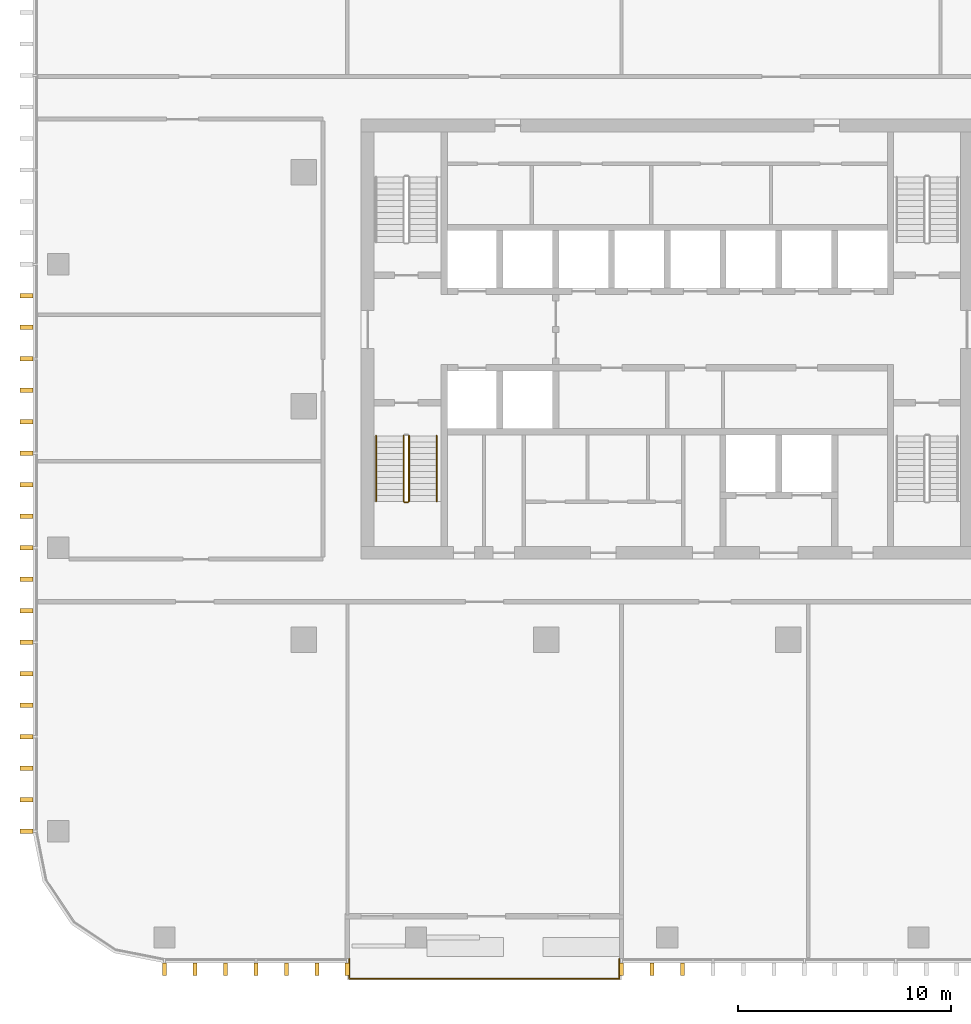
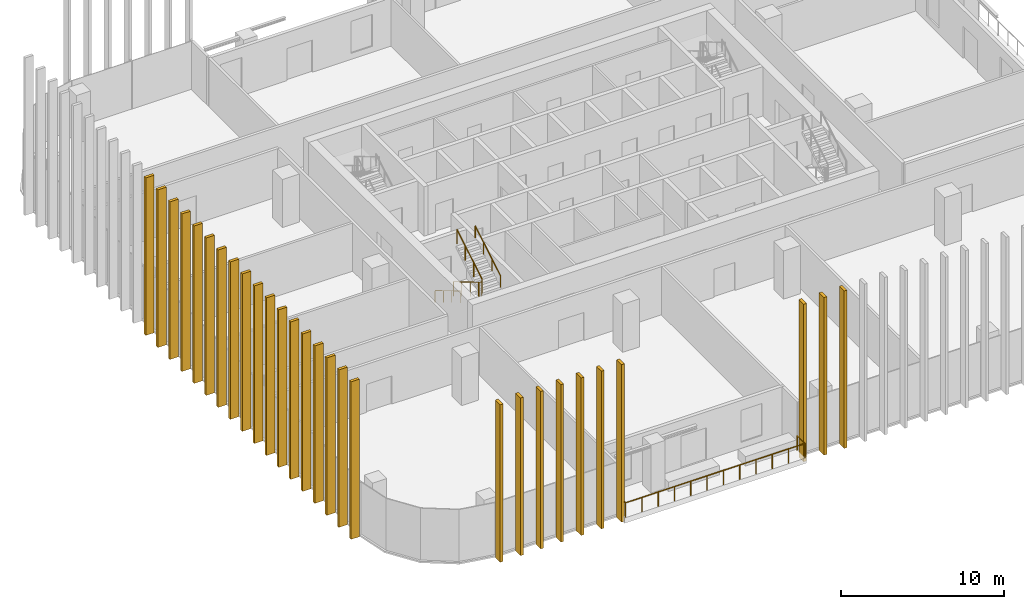
# One storey, part 11 of 16: 28 shading devices, 5 railings.
"""IFC4 building model written with IfcOpenShell, lengths in metres."""

from ifc_helpers import new_model, si_unit, direction, frame, origin, origin_2d, place, context, subcontext, project, spatial, rectangle, circle, extrude, material, type_object, element, save


model = new_model("IFC4")

# Units and contexts
model_context = context("Model", 3, precision=1e-05, world=origin(), true_north=direction((0.0, 1.0)))
body_context = subcontext(model_context, "Body", "Model", "MODEL_VIEW")
ifc_project = project(units=[si_unit("LENGTHUNIT", "METRE"), si_unit("AREAUNIT", "SQUARE_METRE"), si_unit("VOLUMEUNIT", "CUBIC_METRE"), si_unit("PLANEANGLEUNIT", "RADIAN"), si_unit("MASSUNIT", "GRAM", prefix="KILO")], contexts=[model_context])

# Site, building, storey
site_placement = place(None, origin())
site = spatial("IfcSite", under=ifc_project, at=site_placement, CompositionType="ELEMENT")
building_placement = place(site_placement, origin())
building = spatial("IfcBuilding", under=site, at=building_placement, Name="Mopane Tessera Tower", CompositionType="ELEMENT")
storey_placement = place(building_placement, frame((0.0, 0.0, 303.39990234375)))
storey = spatial("IfcBuildingStorey", under=building, at=storey_placement, Name="L66", CompositionType="ELEMENT", Elevation=303.39990234375)

# Shading devices
ifc_material_1 = material(Name="Glazed ceramic tile")
shading_device_type = type_object("IfcShadingDeviceType", Name="Ceramic tile fin 600 x 200 mm", PredefinedType="USERDEFINED", material=ifc_material_1)
for number, where, z_axis, x_axis, name in (
    (1, (-23.64990234375, -26.5, -0.39990234375), (0.0, 0.0, 1.0), (1.0, 0.0, 0.0), "e:fin:L66:S:0:0"),
    (2, (-22.216552734375, -26.5, -0.39990234375), (0.0, 0.0, 1.0), (1.0, 0.0, 0.0), "e:fin:L66:S:0:1"),
    (3, (-20.783447265625, -26.5, -0.39990234375), (0.0, 0.0, 1.0), (1.0, 0.0, 0.0), "e:fin:L66:S:0:2"),
    (4, (-19.35009765625, -26.5, -0.39990234375), (0.0, 0.0, 1.0), (1.0, 0.0, 0.0), "e:fin:L66:S:1:0"),
    (5, (-17.916748046875, -26.5, -0.39990234375), (0.0, 0.0, 1.0), (1.0, 0.0, 0.0), "e:fin:L66:S:1:1"),
    (6, (-16.4833984375, -26.5, -0.39990234375), (0.0, 0.0, 1.0), (1.0, 0.0, 0.0), "e:fin:L66:S:1:2"),
    (7, (-15.050048828125, -26.5, -0.39990234375), (0.0, 0.0, 1.0), (1.0, 0.0, 0.0), "e:fin:L66:S:1:3"),
    (8, (-2.14990234375, -26.5, -0.39990234375), (0.0, 0.0, 1.0), (1.0, 0.0, 0.0), "e:fin:L66:S:5:0"),
    (9, (-0.716552734375, -26.5, -0.39990234375), (0.0, 0.0, 1.0), (1.0, 0.0, 0.0), "e:fin:L66:S:5:1"),
    (10, (0.716552734375, -26.5, -0.39990234375), (0.0, 0.0, 1.0), (1.0, 0.0, 0.0), "e:fin:L66:S:5:2"),
    (11, (-30.14990234375, 5.185302734375, -0.39990234375), (0.0, 0.0, 1.0), (0.0, -1.0, 0.0), "e:fin:L66:W:3:1"),
    (12, (-30.14990234375, 3.70361328125, -0.39990234375), (0.0, 0.0, 1.0), (0.0, -1.0, 0.0), "e:fin:L66:W:3:2"),
    (13, (-30.14990234375, 2.22216796875, -0.39990234375), (0.0, 0.0, 1.0), (0.0, -1.0, 0.0), "e:fin:L66:W:4:0"),
    (14, (-30.14990234375, 0.74072265625, -0.39990234375), (0.0, 0.0, 1.0), (0.0, -1.0, 0.0), "e:fin:L66:W:4:1"),
    (15, (-30.14990234375, -0.74072265625, -0.39990234375), (0.0, 0.0, 1.0), (0.0, -1.0, 0.0), "e:fin:L66:W:4:2"),
    (16, (-30.14990234375, -2.22216796875, -0.39990234375), (0.0, 0.0, 1.0), (0.0, -1.0, 0.0), "e:fin:L66:W:5:0"),
    (17, (-30.14990234375, -3.70361328125, -0.39990234375), (0.0, 0.0, 1.0), (0.0, -1.0, 0.0), "e:fin:L66:W:5:1"),
    (18, (-30.14990234375, -5.185302734375, -0.39990234375), (0.0, 0.0, 1.0), (0.0, -1.0, 0.0), "e:fin:L66:W:5:2"),
    (19, (-30.14990234375, -6.666748046875, -0.39990234375), (0.0, 0.0, 1.0), (0.0, -1.0, 0.0), "e:fin:L66:W:6:0"),
    (20, (-30.14990234375, -8.148193359375, -0.39990234375), (0.0, 0.0, 1.0), (0.0, -1.0, 0.0), "e:fin:L66:W:6:1"),
    (21, (-30.14990234375, -9.629638671875, -0.39990234375), (0.0, 0.0, 1.0), (0.0, -1.0, 0.0), "e:fin:L66:W:6:2"),
    (22, (-30.14990234375, -11.111083984375, -0.39990234375), (0.0, 0.0, 1.0), (0.0, -1.0, 0.0), "e:fin:L66:W:7:0"),
    (23, (-30.14990234375, -12.592529296875, -0.39990234375), (0.0, 0.0, 1.0), (0.0, -1.0, 0.0), "e:fin:L66:W:7:1"),
    (24, (-30.14990234375, -14.073974609375, -0.39990234375), (0.0, 0.0, 1.0), (0.0, -1.0, 0.0), "e:fin:L66:W:7:2"),
    (25, (-30.14990234375, -15.5556640625, -0.39990234375), (0.0, 0.0, 1.0), (0.0, -1.0, 0.0), "e:fin:L66:W:8:0"),
    (26, (-30.14990234375, -17.037109375, -0.39990234375), (0.0, 0.0, 1.0), (0.0, -1.0, 0.0), "e:fin:L66:W:8:1"),
    (27, (-30.14990234375, -18.5185546875, -0.39990234375), (0.0, 0.0, 1.0), (0.0, -1.0, 0.0), "e:fin:L66:W:8:2"),
    (28, (-30.14990234375, -20.0, -0.39990234375), (0.0, 0.0, 1.0), (0.0, -1.0, 0.0), "e:fin:L66:W:8:3"),
):
    element("IfcShadingDevice", number, at=place(storey_placement, frame(where, z_axis=z_axis, x_axis=x_axis)), inside=storey, type_object=shading_device_type, Name=name, ObjectType="FIN", PredefinedType="USERDEFINED", context=body_context, shape_type="SweptSolid", body=[
        extrude(rectangle(XDim=0.199951171875, YDim=0.60009765625, at=origin_2d()), origin(), (0.0, 0.0, 1.0), 11.800048828125),
    ])

# Railings
ifc_material_2 = material(Name="Powder-coated steel balustrade", Category="steel")
railing_type_1 = type_object("IfcRailingType", Name="Escape stair guard 1100 mm", PredefinedType="GUARDRAIL", material=ifc_material_2)
railing_1_placement = place(storey_placement, frame((-12.39990234375, -1.39990234375, 0.166748046875)))
element("IfcRailing", 29, at=railing_1_placement, inside=storey, type_object=railing_type_1, Name="L66 ST1 stair guard 1", PredefinedType="GUARDRAIL", context=body_context, shape_type="SweptSolid", body=[
    extrude(circle(Radius=0.02392578125, at=origin_2d()), frame((0.0, 0.0, 1.076171875), z_axis=(0.0, -0.859308565015, 0.511457515432), x_axis=(1.0, 0.0, 0.0)), (0.0, 0.0, 1.0), 3.58447265625),
    extrude(circle(Radius=0.02392578125, at=origin_2d()), frame((0.0, -3.080078125, 2.9091796875), z_axis=(0.705375805398, -0.708833529934, 0.0), x_axis=(0.708833529934, 0.705375805398, 0.0)), (0.0, 0.0, 1.0), 0.070556640625),
    extrude(circle(Radius=0.02392578125, at=origin_2d()), frame((0.0498046875, -3.130126953125, 2.9091796875), z_axis=(1.0, 0.0, 0.0), x_axis=(0.0, 1.0, 0.0)), (0.0, 0.0, 1.0), 0.150146484375),
    extrude(circle(Radius=0.02099609375, at=origin_2d()), origin(), (0.0, 0.0, 1.0), 1.052001953125),
    extrude(circle(Radius=0.02099609375, at=origin_2d()), frame((0.0, -1.026611328125, 0.611083984375)), (0.0, 0.0, 1.0), 1.052001953125),
    extrude(circle(Radius=0.02099609375, at=origin_2d()), frame((0.0, -2.053466796875, 1.22216796875)), (0.0, 0.0, 1.0), 1.052001953125),
    extrude(circle(Radius=0.02099609375, at=origin_2d()), frame((0.0, -3.080078125, 1.833251953125)), (0.0, 0.0, 1.0), 1.052001953125),
    extrude(circle(Radius=0.02099609375, at=origin_2d()), frame((0.0498046875, -3.130126953125, 1.833251953125)), (0.0, 0.0, 1.0), 1.052001953125),
    extrude(circle(Radius=0.02099609375, at=origin_2d()), frame((0.199951171875, -3.130126953125, 1.833251953125)), (0.0, 0.0, 1.0), 1.052001953125),
])
railing_2_placement = place(storey_placement, frame((-12.14990234375, -4.47998046875, 2.166748046875)))
element("IfcRailing", 30, at=railing_2_placement, inside=storey, type_object=railing_type_1, Name="L66 ST1 stair guard 2", PredefinedType="GUARDRAIL", context=body_context, shape_type="SweptSolid", body=[
    extrude(circle(Radius=0.02392578125, at=origin_2d()), frame((0.0, 0.0, 1.076171875), z_axis=(0.0, 0.859308565015, 0.511457515432), x_axis=(-1.0, 0.0, 0.0)), (0.0, 0.0, 1.0), 3.58447265625),
    extrude(circle(Radius=0.02099609375, at=origin_2d()), origin(), (0.0, 0.0, 1.0), 1.052001953125),
    extrude(circle(Radius=0.02099609375, at=origin_2d()), frame((0.0, 1.026611328125, 0.611083984375)), (0.0, 0.0, 1.0), 1.052001953125),
    extrude(circle(Radius=0.02099609375, at=origin_2d()), frame((0.0, 2.053466796875, 1.22216796875)), (0.0, 0.0, 1.0), 1.052001953125),
    extrude(circle(Radius=0.02099609375, at=origin_2d()), frame((0.0, 3.080078125, 1.833251953125)), (0.0, 0.0, 1.0), 1.052001953125),
])
ifc_material_3 = material(Name="Powder-coated steel balustrade", Category="steel")
railing_type_2 = type_object("IfcRailingType", Name="Escape stair handrail 900 mm", PredefinedType="HANDRAIL", material=ifc_material_3)
railing_3_placement = place(storey_placement, frame((-13.699951171875, -1.39990234375, 0.166748046875)))
element("IfcRailing", 31, at=railing_3_placement, inside=storey, type_object=railing_type_2, Name="L66 ST1 stair handrail 1", PredefinedType="HANDRAIL", context=body_context, shape_type="SweptSolid", body=[
    extrude(circle(Radius=0.02392578125, at=origin_2d()), frame((0.0, 0.0, 0.8759765625), z_axis=(0.0, -0.859308565015, 0.511457515432), x_axis=(1.0, 0.0, 0.0)), (0.0, 0.0, 1.0), 3.58447265625),
    extrude(circle(Radius=0.02099609375, at=origin_2d()), origin(), (0.0, 0.0, 1.0), 0.851806640625),
    extrude(circle(Radius=0.02099609375, at=origin_2d()), frame((0.0, -1.026611328125, 0.611083984375)), (0.0, 0.0, 1.0), 0.851806640625),
    extrude(circle(Radius=0.02099609375, at=origin_2d()), frame((0.0, -2.053466796875, 1.22216796875)), (0.0, 0.0, 1.0), 0.851806640625),
    extrude(circle(Radius=0.02099609375, at=origin_2d()), frame((0.0, -3.080078125, 1.833251953125)), (0.0, 0.0, 1.0), 0.851806640625),
])
railing_4_placement = place(storey_placement, frame((-10.85009765625, -4.47998046875, 2.166748046875)))
element("IfcRailing", 32, at=railing_4_placement, inside=storey, type_object=railing_type_2, Name="L66 ST1 stair handrail 2", PredefinedType="HANDRAIL", context=body_context, shape_type="SweptSolid", body=[
    extrude(circle(Radius=0.02392578125, at=origin_2d()), frame((0.0, 0.0, 0.8759765625), z_axis=(0.0, 0.859308565015, 0.511457515432), x_axis=(-1.0, 0.0, 0.0)), (0.0, 0.0, 1.0), 3.58447265625),
    extrude(circle(Radius=0.02099609375, at=origin_2d()), origin(), (0.0, 0.0, 1.0), 0.851806640625),
    extrude(circle(Radius=0.02099609375, at=origin_2d()), frame((0.0, 1.026611328125, 0.611083984375)), (0.0, 0.0, 1.0), 0.851806640625),
    extrude(circle(Radius=0.02099609375, at=origin_2d()), frame((0.0, 2.053466796875, 1.22216796875)), (0.0, 0.0, 1.0), 0.851806640625),
    extrude(circle(Radius=0.02099609375, at=origin_2d()), frame((0.0, 3.080078125, 1.833251953125)), (0.0, 0.0, 1.0), 0.851806640625),
])
ifc_material_4 = material(Name="Stainless steel S316", Category="steel")
railing_type_3 = type_object("IfcRailingType", Name="Terrace guard 1100", PredefinedType="GUARDRAIL", material=ifc_material_4)
railing_5_placement = place(storey_placement, frame((-14.949951171875, -26.0, 0.0)))
element("IfcRailing", 33, at=railing_5_placement, inside=storey, type_object=railing_type_3, Name="e:nw:L66:N3:guard", PredefinedType="GUARDRAIL", context=body_context, shape_type="SweptSolid", body=[
    extrude(circle(Radius=0.02392578125, at=origin_2d()), frame((0.0, 0.0, 1.076171875), z_axis=(0.0, -1.0, 0.0), x_axis=(1.0, 0.0, 0.0)), (0.0, 0.0, 1.0), 0.949951171875),
    extrude(circle(Radius=0.02392578125, at=origin_2d()), frame((0.0, -0.949951171875, 1.076171875), z_axis=(1.0, 0.0, 0.0), x_axis=(0.0, 1.0, 0.0)), (0.0, 0.0, 1.0), 12.699951171875),
    extrude(circle(Radius=0.02392578125, at=origin_2d()), frame((12.699951171875, -0.949951171875, 1.076171875), z_axis=(0.0, 1.0, 0.0), x_axis=(-1.0, 0.0, 0.0)), (0.0, 0.0, 1.0), 0.949951171875),
    extrude(circle(Radius=0.02099609375, at=origin_2d()), origin(), (0.0, 0.0, 1.0), 1.052001953125),
    extrude(circle(Radius=0.02099609375, at=origin_2d()), frame((0.0, -0.949951171875, 0.0)), (0.0, 0.0, 1.0), 1.052001953125),
    extrude(circle(Radius=0.02099609375, at=origin_2d()), frame((1.154541015625, -0.949951171875, 0.0)), (0.0, 0.0, 1.0), 1.052001953125),
    extrude(circle(Radius=0.02099609375, at=origin_2d()), frame((2.30908203125, -0.949951171875, 0.0)), (0.0, 0.0, 1.0), 1.052001953125),
    extrude(circle(Radius=0.02099609375, at=origin_2d()), frame((3.463623046875, -0.949951171875, 0.0)), (0.0, 0.0, 1.0), 1.052001953125),
    extrude(circle(Radius=0.02099609375, at=origin_2d()), frame((4.6181640625, -0.949951171875, 0.0)), (0.0, 0.0, 1.0), 1.052001953125),
    extrude(circle(Radius=0.02099609375, at=origin_2d()), frame((5.772705078125, -0.949951171875, 0.0)), (0.0, 0.0, 1.0), 1.052001953125),
    extrude(circle(Radius=0.02099609375, at=origin_2d()), frame((6.92724609375, -0.949951171875, 0.0)), (0.0, 0.0, 1.0), 1.052001953125),
    extrude(circle(Radius=0.02099609375, at=origin_2d()), frame((8.081787109375, -0.949951171875, 0.0)), (0.0, 0.0, 1.0), 1.052001953125),
    extrude(circle(Radius=0.02099609375, at=origin_2d()), frame((9.236328125, -0.949951171875, 0.0)), (0.0, 0.0, 1.0), 1.052001953125),
    extrude(circle(Radius=0.02099609375, at=origin_2d()), frame((10.390869140625, -0.949951171875, 0.0)), (0.0, 0.0, 1.0), 1.052001953125),
    extrude(circle(Radius=0.02099609375, at=origin_2d()), frame((11.54541015625, -0.949951171875, 0.0)), (0.0, 0.0, 1.0), 1.052001953125),
    extrude(circle(Radius=0.02099609375, at=origin_2d()), frame((12.699951171875, -0.949951171875, 0.0)), (0.0, 0.0, 1.0), 1.052001953125),
    extrude(circle(Radius=0.02099609375, at=origin_2d()), frame((12.699951171875, 0.0, 0.0)), (0.0, 0.0, 1.0), 1.052001953125),
])

save(model, "model.ifc")
